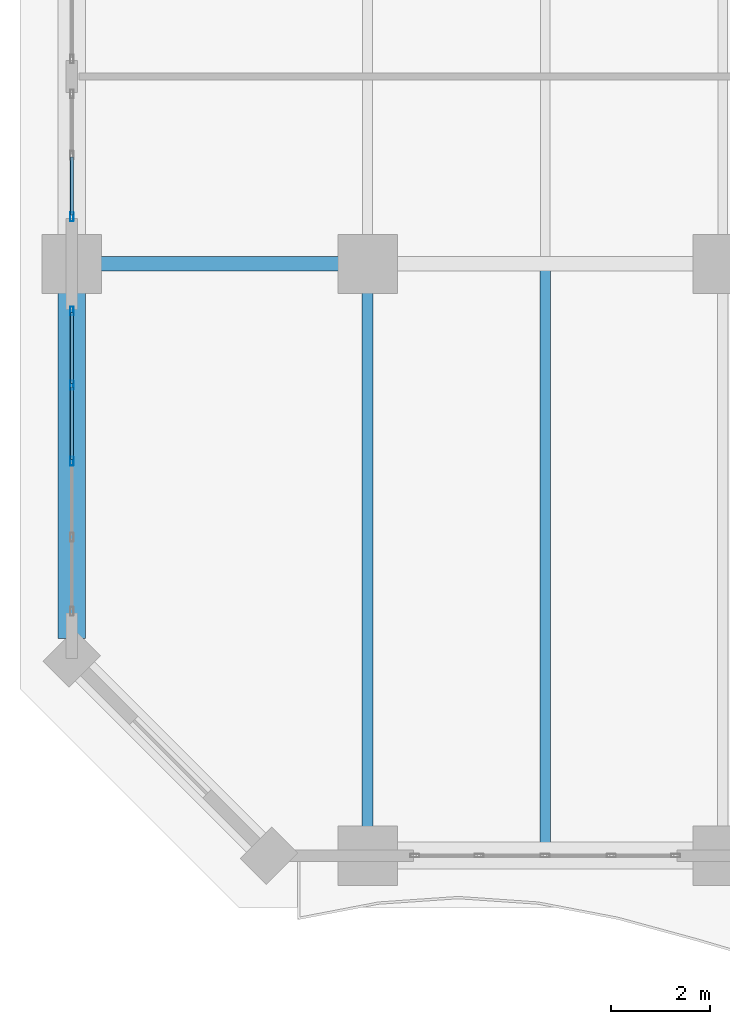
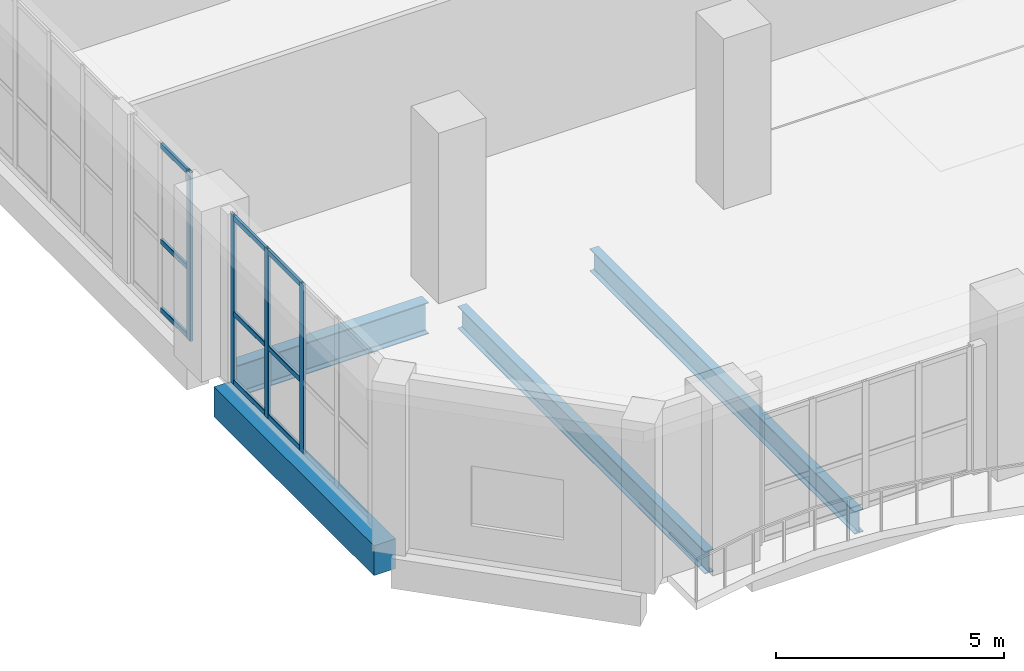
# One storey, part 3 of 37: 13 members, 4 beams, 2 elements without a shape of their own.
"""IFC4 building model written with IfcOpenShell, lengths in metres."""

from ifc_helpers import new_model, si_unit, direction, frame, origin, origin_2d, place, context, subcontext, project, spatial, rectangle, hollow_rectangle, i_section, extrude, material, layer, layer_set, material_profile, profile_set, type_object, element, aggregate, save


model = new_model("IFC4")

# Units and contexts
model_context = context("Model", 3, precision=1e-05, world=origin(), true_north=direction((0.0, 1.0)))
body_context = subcontext(model_context, "Body", "Model", "MODEL_VIEW")
ifc_project = project(units=[si_unit("LENGTHUNIT", "METRE"), si_unit("AREAUNIT", "SQUARE_METRE"), si_unit("VOLUMEUNIT", "CUBIC_METRE"), si_unit("PLANEANGLEUNIT", "RADIAN"), si_unit("MASSUNIT", "GRAM", prefix="KILO")], contexts=[model_context])

# Site, building, storey
site_placement = place(None, origin())
site = spatial("IfcSite", under=ifc_project, at=site_placement, CompositionType="ELEMENT")
building_placement = place(site_placement, origin())
building = spatial("IfcBuilding", under=site, at=building_placement, Name="Kaelvorn Grand Hotel", CompositionType="ELEMENT")
storey_placement = place(building_placement, frame((0.0, 0.0, 224.35009765625)))
storey = spatial("IfcBuildingStorey", under=building, at=storey_placement, Name="L55", CompositionType="ELEMENT", Elevation=224.35009765625)

# Beams
ifc_material_1 = material(Name="Steel S355", Category="steel")
ifc_material_profile_1 = material_profile(ifc_material_1, i_section(OverallWidth=0.29248046875, OverallDepth=0.8408203125, WebThickness=0.0146484375, FlangeThickness=0.021728515625, FilletRadius=0.017822265625, at=origin_2d()), Name="UB 838x292x194")
ifc_profile_set_1 = profile_set([ifc_material_profile_1], Name="Steel S355")
beam_type_1 = type_object("IfcBeamType", Name="BM-G-UB838-S355", PredefinedType="BEAM", material=ifc_profile_set_1)
beam_1_placement = place(storey_placement, frame((3.5849609375, 15.0, -0.660400390625), z_axis=(1.0, 0.0, 0.0), x_axis=(0.0, 1.0, 0.0)))
element("IfcBeam", 1, at=beam_1_placement, inside=storey, type_object=beam_type_1, Name="L55 Primary Spine Steel Girder G-15 01", PredefinedType="BEAM", context=body_context, shape_type="SweptSolid", body=[
    extrude(i_section(OverallWidth=0.29248046875, OverallDepth=0.8408203125, WebThickness=0.0146484375, FlangeThickness=0.021728515625, FilletRadius=0.017822265625, at=origin_2d()), origin(), (0.0, 0.0, 1.0), 4.830078125),
])
ifc_material_profile_2 = material_profile(ifc_material_1, i_section(OverallWidth=0.219970703125, OverallDepth=0.60009765625, WebThickness=0.011962890625, FlangeThickness=0.01904296875, FilletRadius=0.02392578125, at=origin_2d()), Name="IPE 600")
ifc_profile_set_2 = profile_set([ifc_material_profile_2], Name="Steel S355")
beam_type_2 = type_object("IfcBeamType", Name="BM-J-IPE600-S355", PredefinedType="JOIST", material=ifc_profile_set_2)
beam_2_placement = place(storey_placement, frame((9.0, 3.5849609375, -0.5400390625), z_axis=(0.0, 1.0, 0.0), x_axis=(-1.0, 0.0, 0.0)))
element("IfcBeam", 2, at=beam_2_placement, inside=storey, type_object=beam_type_2, Name="L55 Composite Floor Joist JS-03", PredefinedType="JOIST", context=body_context, shape_type="SweptSolid", body=[
    extrude(i_section(OverallWidth=0.219970703125, OverallDepth=0.60009765625, WebThickness=0.011962890625, FlangeThickness=0.01904296875, FilletRadius=0.02392578125, at=origin_2d()), origin(), (0.0, 0.0, 1.0), 10.830078125),
])
beam_3_placement = place(storey_placement, frame((12.60009765625, 3.260009765625, -0.5400390625), z_axis=(0.0, 1.0, 0.0), x_axis=(-1.0, 0.0, 0.0)))
element("IfcBeam", 3, at=beam_3_placement, inside=storey, type_object=beam_type_2, Name="L55 Composite Floor Joist JS-04", PredefinedType="JOIST", context=body_context, shape_type="SweptSolid", body=[
    extrude(i_section(OverallWidth=0.219970703125, OverallDepth=0.60009765625, WebThickness=0.011962890625, FlangeThickness=0.01904296875, FilletRadius=0.02392578125, at=origin_2d()), origin(), (0.0, 0.0, 1.0), 11.60888671875),
])
ifc_material_2 = material(Name="Concrete C50/60", Category="concrete")
ifc_material_profile_3 = material_profile(ifc_material_2, rectangle(XDim=0.550048828125, YDim=0.800048828125, at=origin_2d()), Name="RC SPANDREL 550x800")
ifc_profile_set_3 = profile_set([ifc_material_profile_3], Name="Concrete C50/60")
beam_type_3 = type_object("IfcBeamType", Name="BM-SP-550x800-C50", PredefinedType="SPANDREL", material=ifc_profile_set_3)
beam_4_placement = place(storey_placement, frame((3.0, 7.405029296875, -0.64013671875), z_axis=(0.0, 1.0, 0.0), x_axis=(-1.0, 0.0, 0.0)))
element("IfcBeam", 4, at=beam_4_placement, inside=storey, type_object=beam_type_3, Name="L55 West Perimeter Spandrel 01", PredefinedType="SPANDREL", context=body_context, shape_type="SweptSolid", body=[
    extrude(rectangle(XDim=0.550048828125, YDim=0.800048828125, at=origin_2d()), origin(), (0.0, 0.0, 1.0), 7.010009765625),
])

# Curtain wall, member
ifc_material_3 = material(Name="Anodised Aluminium", Category="aluminium")
ifc_layer = layer(ifc_material_3, 0.179931640625)
ifc_layer_set = layer_set([ifc_layer], Name="Anodised Aluminium")
curtain_wall_type = type_object("IfcCurtainWallType", Name="CW-SYS4", PredefinedType="NOTDEFINED", material=ifc_layer_set)
curtain_wall_1_placement = place(storey_placement, origin())
curtain_wall_1 = element("IfcCurtainWall", 5, at=curtain_wall_1_placement, inside=storey, type_object=curtain_wall_type, Name="L55 Unitised Curtain Wall CW4 (CW-L55-W-02)", PredefinedType="NOTDEFINED")
ifc_material_profile_4 = material_profile(ifc_material_3, hollow_rectangle(XDim=0.070068359375, YDim=0.179931640625, WallThickness=0.00390625, InnerFilletRadius=0.00390625, OuterFilletRadius=0.008056640625, at=origin_2d()), Name="ALU MULL 70x180")
ifc_profile_set_4 = profile_set([ifc_material_profile_4], Name="Anodised Aluminium")
member_type_1 = type_object("IfcMemberType", Name="CW-SYS4-MULL", PredefinedType="MULLION", material=ifc_profile_set_4)
member_1_placement = place(storey_placement, frame((3.0, 15.955078125, 0.0), z_axis=(0.0, 0.0, 1.0), x_axis=(1.0, 0.0, 0.0)))
member_1 = element("IfcMember", 6, at=member_1_placement, type_object=member_type_1, Name="CW4 mullion 3", PredefinedType="MULLION", context=body_context, shape_type="SweptSolid", body=[
    extrude(hollow_rectangle(XDim=0.070068359375, YDim=0.179931640625, WallThickness=0.00390625, InnerFilletRadius=0.00390625, OuterFilletRadius=0.008056640625, at=origin_2d()), origin(), (0.0, 0.0, 1.0), 4.52001953125),
])

# Curtain wall, members
curtain_wall_2_placement = place(storey_placement, origin())
curtain_wall_2 = element("IfcCurtainWall", 7, at=curtain_wall_2_placement, inside=storey, type_object=curtain_wall_type, Name="L55 Unitised Curtain Wall CW4 (CW-L55-W-01)", PredefinedType="NOTDEFINED")
member_2_placement = place(storey_placement, frame((3.0, 14.044921875, 0.0), z_axis=(0.0, 0.0, 1.0), x_axis=(1.0, 0.0, 0.0)))
member_2 = element("IfcMember", 8, at=member_2_placement, type_object=member_type_1, Name="CW4 mullion 1", PredefinedType="MULLION", context=body_context, shape_type="SweptSolid", body=[
    extrude(hollow_rectangle(XDim=0.070068359375, YDim=0.179931640625, WallThickness=0.00390625, InnerFilletRadius=0.00390625, OuterFilletRadius=0.008056640625, at=origin_2d()), origin(), (0.0, 0.0, 1.0), 4.52001953125),
])
member_3_placement = place(storey_placement, frame((3.0, 12.5400390625, 0.0), z_axis=(0.0, 0.0, 1.0), x_axis=(1.0, 0.0, 0.0)))
member_3 = element("IfcMember", 9, at=member_3_placement, type_object=member_type_1, Name="CW4 mullion 2", PredefinedType="MULLION", context=body_context, shape_type="SweptSolid", body=[
    extrude(hollow_rectangle(XDim=0.070068359375, YDim=0.179931640625, WallThickness=0.00390625, InnerFilletRadius=0.00390625, OuterFilletRadius=0.008056640625, at=origin_2d()), origin(), (0.0, 0.0, 1.0), 4.52001953125),
])
member_4_placement = place(storey_placement, frame((3.0, 11.0, 0.0), z_axis=(0.0, 0.0, 1.0), x_axis=(1.0, 0.0, 0.0)))
member_4 = element("IfcMember", 10, at=member_4_placement, type_object=member_type_1, Name="CW4 mullion 3", PredefinedType="MULLION", context=body_context, shape_type="SweptSolid", body=[
    extrude(hollow_rectangle(XDim=0.070068359375, YDim=0.179931640625, WallThickness=0.00390625, InnerFilletRadius=0.00390625, OuterFilletRadius=0.008056640625, at=origin_2d()), origin(), (0.0, 0.0, 1.0), 4.52001953125),
])

# Member
ifc_material_profile_5 = material_profile(ifc_material_3, hollow_rectangle(XDim=0.070068359375, YDim=0.135009765625, WallThickness=0.00341796875, InnerFilletRadius=0.00341796875, OuterFilletRadius=0.007080078125, at=origin_2d()), Name="ALU TRAN 70x135")
ifc_profile_set_5 = profile_set([ifc_material_profile_5], Name="Anodised Aluminium")
member_type_2 = type_object("IfcMemberType", Name="CW-SYS4-TRAN", PredefinedType="NOTDEFINED", material=ifc_profile_set_5)
member_5_placement = place(storey_placement, frame((3.0, 17.1650390625, 0.0673828125), z_axis=(0.0, -1.0, 0.0), x_axis=(1.0, 0.0, 0.0)))
member_5 = element("IfcMember", 11, at=member_5_placement, type_object=member_type_2, Name="CW4 transom 2.1", ObjectType="TRANSOM", PredefinedType="USERDEFINED", context=body_context, shape_type="SweptSolid", body=[
    extrude(hollow_rectangle(XDim=0.070068359375, YDim=0.135009765625, WallThickness=0.00341796875, InnerFilletRadius=0.00341796875, OuterFilletRadius=0.007080078125, at=origin_2d()), origin(), (0.0, 0.0, 1.0), 1.175048828125),
])

member_6_placement = place(storey_placement, frame((3.0, 17.1650390625, 1.898193359375), z_axis=(0.0, -1.0, 0.0), x_axis=(1.0, 0.0, 0.0)))
member_6 = element("IfcMember", 12, at=member_6_placement, type_object=member_type_2, Name="CW4 transom 2.2", ObjectType="TRANSOM", PredefinedType="USERDEFINED", context=body_context, shape_type="SweptSolid", body=[
    extrude(hollow_rectangle(XDim=0.070068359375, YDim=0.135009765625, WallThickness=0.00341796875, InnerFilletRadius=0.00341796875, OuterFilletRadius=0.007080078125, at=origin_2d()), origin(), (0.0, 0.0, 1.0), 1.175048828125),
])

member_7_placement = place(storey_placement, frame((3.0, 17.1650390625, 4.452392578125), z_axis=(0.0, -1.0, 0.0), x_axis=(1.0, 0.0, 0.0)))
member_7 = element("IfcMember", 13, at=member_7_placement, type_object=member_type_2, Name="CW4 transom 2.3", ObjectType="TRANSOM", PredefinedType="USERDEFINED", context=body_context, shape_type="SweptSolid", body=[
    extrude(hollow_rectangle(XDim=0.070068359375, YDim=0.135009765625, WallThickness=0.00341796875, InnerFilletRadius=0.00341796875, OuterFilletRadius=0.007080078125, at=origin_2d()), origin(), (0.0, 0.0, 1.0), 1.175048828125),
])

aggregate(curtain_wall_1, [member_1, member_5, member_6, member_7])

member_8_placement = place(storey_placement, frame((3.0, 14.010009765625, 0.0673828125), z_axis=(0.0, -1.0, 0.0), x_axis=(1.0, 0.0, 0.0)))
member_8 = element("IfcMember", 14, at=member_8_placement, type_object=member_type_2, Name="CW4 transom 1.1", ObjectType="TRANSOM", PredefinedType="USERDEFINED", context=body_context, shape_type="SweptSolid", body=[
    extrude(hollow_rectangle(XDim=0.070068359375, YDim=0.135009765625, WallThickness=0.00341796875, InnerFilletRadius=0.00341796875, OuterFilletRadius=0.007080078125, at=origin_2d()), origin(), (0.0, 0.0, 1.0), 1.43505859375),
])

member_9_placement = place(storey_placement, frame((3.0, 14.010009765625, 1.898193359375), z_axis=(0.0, -1.0, 0.0), x_axis=(1.0, 0.0, 0.0)))
member_9 = element("IfcMember", 15, at=member_9_placement, type_object=member_type_2, Name="CW4 transom 1.2", ObjectType="TRANSOM", PredefinedType="USERDEFINED", context=body_context, shape_type="SweptSolid", body=[
    extrude(hollow_rectangle(XDim=0.070068359375, YDim=0.135009765625, WallThickness=0.00341796875, InnerFilletRadius=0.00341796875, OuterFilletRadius=0.007080078125, at=origin_2d()), origin(), (0.0, 0.0, 1.0), 1.43505859375),
])

member_10_placement = place(storey_placement, frame((3.0, 14.010009765625, 4.452392578125), z_axis=(0.0, -1.0, 0.0), x_axis=(1.0, 0.0, 0.0)))
member_10 = element("IfcMember", 16, at=member_10_placement, type_object=member_type_2, Name="CW4 transom 1.3", ObjectType="TRANSOM", PredefinedType="USERDEFINED", context=body_context, shape_type="SweptSolid", body=[
    extrude(hollow_rectangle(XDim=0.070068359375, YDim=0.135009765625, WallThickness=0.00341796875, InnerFilletRadius=0.00341796875, OuterFilletRadius=0.007080078125, at=origin_2d()), origin(), (0.0, 0.0, 1.0), 1.43505859375),
])

member_11_placement = place(storey_placement, frame((3.0, 12.5048828125, 0.0673828125), z_axis=(0.0, -1.0, 0.0), x_axis=(1.0, 0.0, 0.0)))
member_11 = element("IfcMember", 17, at=member_11_placement, type_object=member_type_2, Name="CW4 transom 2.1", ObjectType="TRANSOM", PredefinedType="USERDEFINED", context=body_context, shape_type="SweptSolid", body=[
    extrude(hollow_rectangle(XDim=0.070068359375, YDim=0.135009765625, WallThickness=0.00341796875, InnerFilletRadius=0.00341796875, OuterFilletRadius=0.007080078125, at=origin_2d()), origin(), (0.0, 0.0, 1.0), 1.469970703125),
])

member_12_placement = place(storey_placement, frame((3.0, 12.5048828125, 1.898193359375), z_axis=(0.0, -1.0, 0.0), x_axis=(1.0, 0.0, 0.0)))
member_12 = element("IfcMember", 18, at=member_12_placement, type_object=member_type_2, Name="CW4 transom 2.2", ObjectType="TRANSOM", PredefinedType="USERDEFINED", context=body_context, shape_type="SweptSolid", body=[
    extrude(hollow_rectangle(XDim=0.070068359375, YDim=0.135009765625, WallThickness=0.00341796875, InnerFilletRadius=0.00341796875, OuterFilletRadius=0.007080078125, at=origin_2d()), origin(), (0.0, 0.0, 1.0), 1.469970703125),
])

member_13_placement = place(storey_placement, frame((3.0, 12.5048828125, 4.452392578125), z_axis=(0.0, -1.0, 0.0), x_axis=(1.0, 0.0, 0.0)))
member_13 = element("IfcMember", 19, at=member_13_placement, type_object=member_type_2, Name="CW4 transom 2.3", ObjectType="TRANSOM", PredefinedType="USERDEFINED", context=body_context, shape_type="SweptSolid", body=[
    extrude(hollow_rectangle(XDim=0.070068359375, YDim=0.135009765625, WallThickness=0.00341796875, InnerFilletRadius=0.00341796875, OuterFilletRadius=0.007080078125, at=origin_2d()), origin(), (0.0, 0.0, 1.0), 1.469970703125),
])

aggregate(curtain_wall_2, [member_2, member_3, member_4, member_8, member_9, member_10, member_11, member_12, member_13])

save(model, "model.ifc")
